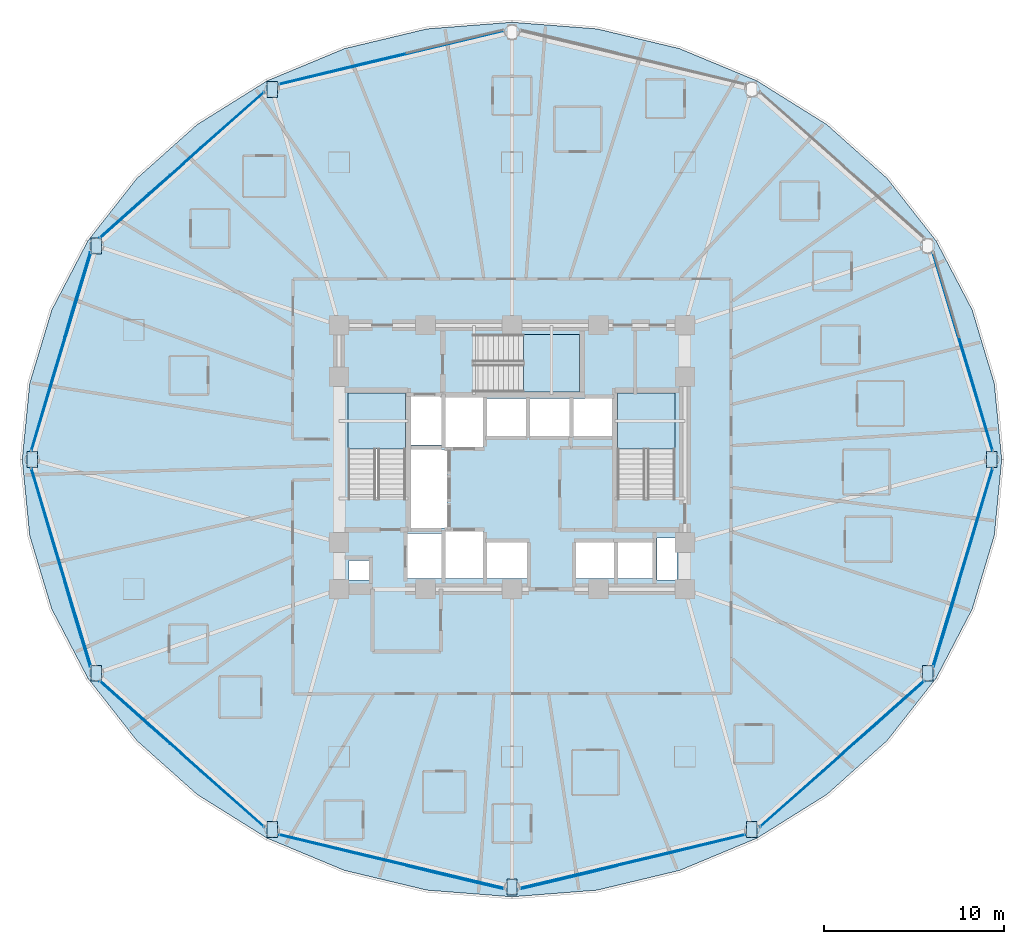
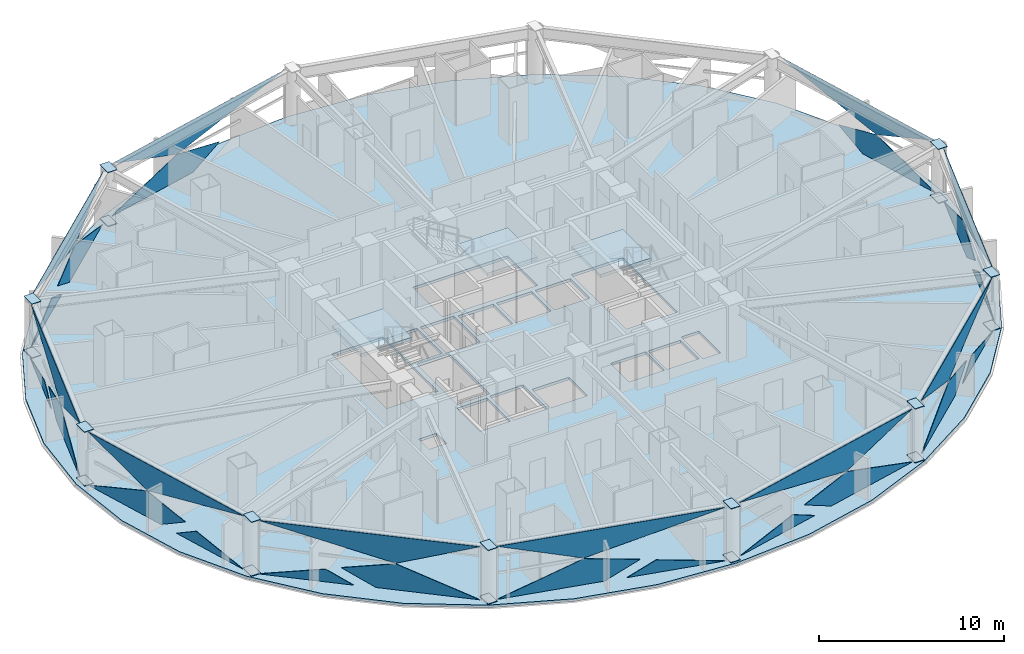
# One storey, part 22 of 32: 46 plates, 4 slabs, 13 elements without a shape of their own.
"""IFC4 building model written with IfcOpenShell, lengths in metres."""

from ifc_helpers import new_model, si_unit, direction, frame, origin, place, context, subcontext, project, spatial, polyline, outline, extrude, material, layer, layer_set, type_object, element, aggregate, save


model = new_model("IFC4")

# Units and contexts
model_context = context("Model", 3, precision=1e-05, world=origin(), true_north=direction((0.0, 1.0)))
body_context = subcontext(model_context, "Body", "Model", "MODEL_VIEW")
ifc_project = project(units=[si_unit("LENGTHUNIT", "METRE"), si_unit("AREAUNIT", "SQUARE_METRE"), si_unit("VOLUMEUNIT", "CUBIC_METRE"), si_unit("PLANEANGLEUNIT", "RADIAN"), si_unit("MASSUNIT", "GRAM", prefix="KILO")], contexts=[model_context])

# Site, building, storey
site_placement = place(None, origin())
site = spatial("IfcSite", under=ifc_project, at=site_placement, CompositionType="ELEMENT")
building_placement = place(site_placement, origin())
building = spatial("IfcBuilding", under=site, at=building_placement, Name="Vantalir Tower", CompositionType="ELEMENT")
storey_placement = place(building_placement, frame((0.0, 0.0, 45.75)))
storey = spatial("IfcBuildingStorey", under=building, at=storey_placement, Name="L10", CompositionType="ELEMENT", Elevation=45.75)

# Curtain wall, plates
ifc_material_1 = material(Name="Champagne-silver PVDF aluminium and double-silver Low-E glass", Category="aluminium")
ifc_layer_1 = layer(ifc_material_1, 0.18994140625)
ifc_layer_set_1 = layer_set([ifc_layer_1], Name="Champagne-silver PVDF aluminium and double-silver Low-E glass")
curtain_wall_type = type_object("IfcCurtainWallType", Name="CW-DIAMOND-Z1", PredefinedType="USERDEFINED", material=ifc_layer_set_1)
curtain_wall_1_placement = place(storey_placement, origin())
curtain_wall_1 = element("IfcCurtainWall", 1, at=curtain_wall_1_placement, inside=storey, type_object=curtain_wall_type, Name="L10 Quilted Pyramid-Diamond Curtain Wall S01", ObjectType="UNITISED CURTAIN WALL", PredefinedType="USERDEFINED")
ifc_material_2 = material(Name="Double-silver Low-E laminated glass IGU", Category="glass")
ifc_layer_2 = layer(ifc_material_2, 0.028076171875)
ifc_layer_set_2 = layer_set([ifc_layer_2], Name="Double-silver Low-E laminated glass IGU")
plate_type_1 = type_object("IfcPlateType", Name="CWP-IGU-28", PredefinedType="CURTAIN_PANEL", material=ifc_layer_set_2)
plate_1_placement = place(storey_placement, frame((58.189453125, 25.46435546875, 0.046630859375), z_axis=(-0.957587315243, -0.287813609808, 0.013778958427), x_axis=(-0.287840935832, 0.957678231798, -2.302e-09)))
plate_1 = element("IfcPlate", 2, at=plate_1_placement, type_object=plate_type_1, Name="CW-L10-S01 Pyramid Diamond Facet 1L", PredefinedType="CURTAIN_PANEL", context=body_context, shape_type="SweptSolid", body=[
    extrude(outline(polyline([(0.0, 0.0), (5.403745137110257, 3.469446951953614e-18), (7.217340910924827, -1.0401378239289027), (4.379424527082767, -1.726726423299107), (0.0, 0.0)])), origin(), (0.0, 0.0, -1.0), 0.028076171875),
])
plate_2_placement = place(storey_placement, frame((54.87451171875, 36.49365234375, 3.523681640625), z_axis=(0.957588443295, 0.287810388596, 0.013767842368), x_axis=(0.287837949678, -0.95767912908, -2.1198847e-05)))
plate_2 = element("IfcPlate", 3, at=plate_2_placement, type_object=plate_type_1, Name="CW-L10-S01 Pyramid Diamond Facet 2U", PredefinedType="CURTAIN_PANEL", context=body_context, shape_type="SweptSolid", body=[
    extrude(outline(polyline([(0.0, 0.0), (11.516693368469967, 6.396792817664476e-18), (7.137305370544517, 1.7270631721686152), (0.0, 0.0)])), origin(), (0.0, 0.0, -1.0), 0.028076171875),
])
aggregate(curtain_wall_1, [plate_1, plate_2])

curtain_wall_2_placement = place(storey_placement, origin())
curtain_wall_2 = element("IfcCurtainWall", 4, at=curtain_wall_2_placement, inside=storey, type_object=curtain_wall_type, Name="L10 Quilted Pyramid-Diamond Curtain Wall S04", ObjectType="UNITISED CURTAIN WALL", PredefinedType="USERDEFINED")
plate_3_placement = place(storey_placement, frame((24.4267578125, 47.2265625, 0.04638671875), z_axis=(0.232294519569, -0.972548754799, 0.013717715466), x_axis=(-0.972640272719, -0.232316378857, -8.158e-09)))
plate_3 = element("IfcPlate", 5, at=plate_3_placement, type_object=plate_type_1, Name="CW-L10-S04 Pyramid Diamond Facet 1L", PredefinedType="CURTAIN_PANEL", context=body_context, shape_type="SweptSolid", body=[
    extrude(outline(polyline([(0.0, 0.0), (6.034236524306683, -3.469446951953614e-18), (1.1585157316986223, -1.727457471748242), (-2.003188998828831, -1.0401368657822887), (0.0, 0.0)])), origin(), (0.0, 0.0, -1.0), 0.028076171875),
])
plate_4_placement = place(storey_placement, frame((18.5576171875, 45.82470703125, 3.5234375), z_axis=(-0.232303428702, 0.972546958767, 0.013694159595), x_axis=(0.972638222873, 0.232324960009, 1.9041469e-05)))
plate_4 = element("IfcPlate", 6, at=plate_4_placement, type_object=plate_type_1, Name="CW-L10-S04 Pyramid Diamond Facet 2U", PredefinedType="CURTAIN_PANEL", context=body_context, shape_type="SweptSolid", body=[
    extrude(outline(polyline([(0.0, 0.0), (12.821522773555245, 1.9244588561617704e-18), (4.875688096308643, 1.7275497537542863), (0.0, 0.0)])), origin(), (0.0, 0.0, -1.0), 0.028076171875),
])
aggregate(curtain_wall_2, [plate_3, plate_4])

curtain_wall_3_placement = place(storey_placement, origin())
curtain_wall_3 = element("IfcCurtainWall", 7, at=curtain_wall_3_placement, inside=storey, type_object=curtain_wall_type, Name="L10 Quilted Pyramid-Diamond Curtain Wall S05", ObjectType="UNITISED CURTAIN WALL", PredefinedType="USERDEFINED")
plate_5_placement = place(storey_placement, frame((17.723876953125, 45.389404296875, 0.046630859375), z_axis=(0.66532923019, -0.746424575499, 0.013688263069), x_axis=(-0.746494122732, -0.665392006934, -4.2832141e-05)))
plate_5 = element("IfcPlate", 8, at=plate_5_placement, type_object=plate_type_1, Name="CW-L10-S05 Pyramid Diamond Facet 1L", PredefinedType="CURTAIN_PANEL", context=body_context, shape_type="SweptSolid", body=[
    extrude(outline(polyline([(0.0, 0.0), (5.727041616755105, -9.974659986866641e-18), (7.638910723571556, -1.0407078975146749), (4.638077259731471, -1.7271659560260357), (0.0, 0.0)])), origin(), (0.0, 0.0, -1.0), 0.028076171875),
])
plate_6_placement = place(storey_placement, frame((12.5068359375, 40.78173828125, 0.0458984375), z_axis=(0.665302004108, -0.746444370429, 0.013930010201), x_axis=(-0.746516802938, -0.665366562829, 0.0)))
plate_6 = element("IfcPlate", 9, at=plate_6_placement, type_object=plate_type_1, Name="CW-L10-S05 Pyramid Diamond Facet 1L Infill Light", PredefinedType="CURTAIN_PANEL", context=body_context, shape_type="SweptSolid", body=[
    extrude(outline(polyline([(0.0, 0.0), (5.22576723192399, 0.0), (1.5469104609905, -0.8418785602029862), (0.0, 0.0)])), origin(), (0.0, 0.0, -1.0), 0.028076171875),
])
plate_7_placement = place(storey_placement, frame((8.626953125, 37.28076171875, 3.523681640625), z_axis=(-0.665331912442, 0.746422967964, 0.013645482091), x_axis=(0.746492287274, 0.665394067181, -2.0034145e-05)))
plate_7 = element("IfcPlate", 10, at=plate_7_placement, type_object=plate_type_1, Name="CW-L10-S05 Pyramid Diamond Facet 2U", PredefinedType="CURTAIN_PANEL", context=body_context, shape_type="SweptSolid", body=[
    extrude(outline(polyline([(0.0, 0.0), (12.18622614487745, -5.4752209710517974e-18), (7.548109584000032, 1.7273045211281237), (0.0, 0.0)])), origin(), (0.0, 0.0, -1.0), 0.028076171875),
])
aggregate(curtain_wall_3, [plate_5, plate_6, plate_7])

curtain_wall_4_placement = place(storey_placement, origin())
curtain_wall_4 = element("IfcCurtainWall", 11, at=curtain_wall_4_placement, inside=storey, type_object=curtain_wall_type, Name="L10 Quilted Pyramid-Diamond Curtain Wall S06", ObjectType="UNITISED CURTAIN WALL", PredefinedType="USERDEFINED")
plate_8_placement = place(storey_placement, frame((6.365966796875, 30.639404296875, 0.046630859375), z_axis=(0.957587315243, -0.287813609808, 0.013778958427), x_axis=(-0.287840935832, -0.957678231798, 2.302e-09)))
plate_8 = element("IfcPlate", 12, at=plate_8_placement, type_object=plate_type_1, Name="CW-L10-S06 Pyramid Diamond Facet 1L", PredefinedType="CURTAIN_PANEL", context=body_context, shape_type="SweptSolid", body=[
    extrude(outline(polyline([(0.0, 0.0), (5.403745137110257, -3.469446951953614e-18), (1.0243206100274902, -1.726726423299107), (-1.8135957738145696, -1.0401378239289027), (0.0, 0.0)])), origin(), (0.0, 0.0, -1.0), 0.028076171875),
])
plate_9_placement = place(storey_placement, frame((8.0947265625, 36.502685546875, 0.0458984375), z_axis=(0.95759038905, -0.287801570428, 0.013816760045), x_axis=(-0.287829700777, -0.957681607266, 4.9548924e-05)))
plate_9 = element("IfcPlate", 13, at=plate_9_placement, type_object=plate_type_1, Name="CW-L10-S06 Pyramid Diamond Facet 1L Infill Light", PredefinedType="CURTAIN_PANEL", context=body_context, shape_type="SweptSolid", body=[
    extrude(outline(polyline([(0.0, 0.0), (4.927263888329867, -2.4665599424045226e-18), (3.465456767855539, -0.8385313810885956), (0.0, 0.0)])), origin(), (0.0, 0.0, -1.0), 0.028076171875),
])
plate_10_placement = place(storey_placement, frame((4.810546875, 25.46435546875, 3.5234375), z_axis=(-0.957588443295, 0.287810388596, 0.013767842368), x_axis=(0.287837949678, 0.95767912908, 2.1198847e-05)))
plate_10 = element("IfcPlate", 14, at=plate_10_placement, type_object=plate_type_1, Name="CW-L10-S06 Pyramid Diamond Facet 2U", PredefinedType="CURTAIN_PANEL", context=body_context, shape_type="SweptSolid", body=[
    extrude(outline(polyline([(0.0, 0.0), (11.516693368469967, -6.396792817664476e-18), (4.379387997925452, 1.7270631721686152), (0.0, 0.0)])), origin(), (0.0, 0.0, -1.0), 0.028076171875),
])
aggregate(curtain_wall_4, [plate_8, plate_9, plate_10])

curtain_wall_5_placement = place(storey_placement, origin())
curtain_wall_5 = element("IfcCurtainWall", 15, at=curtain_wall_5_placement, inside=storey, type_object=curtain_wall_type, Name="L10 Quilted Pyramid-Diamond Curtain Wall S07", ObjectType="UNITISED CURTAIN WALL", PredefinedType="USERDEFINED")
plate_11_placement = place(storey_placement, frame((4.810546875, 24.53564453125, 0.046630859375), z_axis=(0.957587315243, 0.287813609808, 0.013778958427), x_axis=(0.287840935832, -0.957678231798, -2.302e-09)))
plate_11 = element("IfcPlate", 16, at=plate_11_placement, type_object=plate_type_1, Name="CW-L10-S07 Pyramid Diamond Facet 1L", PredefinedType="CURTAIN_PANEL", context=body_context, shape_type="SweptSolid", body=[
    extrude(outline(polyline([(0.0, 0.0), (5.403745137110257, 3.469446951953614e-18), (7.217340910924827, -1.0401378239289027), (4.379424527082767, -1.726726423299107), (0.0, 0.0)])), origin(), (0.0, 0.0, -1.0), 0.028076171875),
])
plate_12_placement = place(storey_placement, frame((6.676513671875, 18.216064453125, 0.046142578125), z_axis=(0.95759038905, 0.287801570428, 0.013816760045), x_axis=(0.287829700777, -0.957681607266, -4.9548924e-05)))
plate_12 = element("IfcPlate", 17, at=plate_12_placement, type_object=plate_type_1, Name="CW-L10-S07 Pyramid Diamond Facet 1L Infill Light", PredefinedType="CURTAIN_PANEL", context=body_context, shape_type="SweptSolid", body=[
    extrude(outline(polyline([(0.0, 0.0), (4.927263888329867, 2.4665599424045226e-18), (1.4618071204743284, -0.8385313810885956), (0.0, 0.0)])), origin(), (0.0, 0.0, -1.0), 0.028076171875),
])
plate_13_placement = place(storey_placement, frame((8.12548828125, 13.50634765625, 3.523681640625), z_axis=(-0.957588443295, -0.287810388596, 0.013767842368), x_axis=(-0.287837949678, 0.95767912908, -2.1198847e-05)))
plate_13 = element("IfcPlate", 18, at=plate_13_placement, type_object=plate_type_1, Name="CW-L10-S07 Pyramid Diamond Facet 2U", PredefinedType="CURTAIN_PANEL", context=body_context, shape_type="SweptSolid", body=[
    extrude(outline(polyline([(0.0, 0.0), (11.516693368469967, 6.396792817664476e-18), (7.137305370544517, 1.7270631721686152), (0.0, 0.0)])), origin(), (0.0, 0.0, -1.0), 0.028076171875),
])
aggregate(curtain_wall_5, [plate_11, plate_12, plate_13])

curtain_wall_6_placement = place(storey_placement, origin())
curtain_wall_6 = element("IfcCurtainWall", 19, at=curtain_wall_6_placement, inside=storey, type_object=curtain_wall_type, Name="L10 Quilted Pyramid-Diamond Curtain Wall S08", ObjectType="UNITISED CURTAIN WALL", PredefinedType="USERDEFINED")
plate_14_placement = place(storey_placement, frame((13.4482421875, 8.42138671875, 0.04638671875), z_axis=(0.66536670794, 0.746390029798, 0.013750177533), x_axis=(0.746460205422, -0.665430056339, 4.2915024e-05)))
plate_14 = element("IfcPlate", 20, at=plate_14_placement, type_object=plate_type_1, Name="CW-L10-S08 Pyramid Diamond Facet 1L", PredefinedType="CURTAIN_PANEL", context=body_context, shape_type="SweptSolid", body=[
    extrude(outline(polyline([(0.0, 0.0), (5.726677131115245, 3.9302328752599536e-18), (1.088783462560477, -1.7271673408944206), (-1.9118682876419688, -1.0407093991941267), (0.0, 0.0)])), origin(), (0.0, 0.0, -1.0), 0.028076171875),
])
plate_15_placement = place(storey_placement, frame((8.605712890625, 12.6953125, 0.0458984375), z_axis=(0.665349140096, 0.746403820482, 0.013851301154), x_axis=(0.746475432762, -0.66541297574, 0.0)))
plate_15 = element("IfcPlate", 21, at=plate_15_placement, type_object=plate_type_1, Name="CW-L10-S08 Pyramid Diamond Facet 1L Infill Light", PredefinedType="CURTAIN_PANEL", context=body_context, shape_type="SweptSolid", body=[
    extrude(outline(polyline([(0.0, 0.0), (5.225402731866094, 6.938893903907228e-18), (3.678675247986238, -0.8418776395829664), (0.0, 0.0)])), origin(), (0.0, 0.0, -1.0), 0.028076171875),
])
plate_16_placement = place(storey_placement, frame((17.722900390625, 4.610595703125, 3.5234375), z_axis=(-0.665371267275, -0.746386987008, 0.013694608798), x_axis=(-0.746456803677, 0.665433873381, 2.0035344e-05)))
plate_16 = element("IfcPlate", 22, at=plate_16_placement, type_object=plate_type_1, Name="CW-L10-S08 Pyramid Diamond Facet 2U", PredefinedType="CURTAIN_PANEL", context=body_context, shape_type="SweptSolid", body=[
    extrude(outline(polyline([(0.0, 0.0), (12.185497165828616, 4.174178364069192e-18), (4.637933054903152, 1.727305683223863), (0.0, 0.0)])), origin(), (0.0, 0.0, -1.0), 0.028076171875),
])
aggregate(curtain_wall_6, [plate_14, plate_15, plate_16])

curtain_wall_7_placement = place(storey_placement, origin())
curtain_wall_7 = element("IfcCurtainWall", 23, at=curtain_wall_7_placement, inside=storey, type_object=curtain_wall_type, Name="L10 Quilted Pyramid-Diamond Curtain Wall S09", ObjectType="UNITISED CURTAIN WALL", PredefinedType="USERDEFINED")
plate_17_placement = place(storey_placement, frame((18.556640625, 4.17529296875, 0.04638671875), z_axis=(0.232271719919, 0.972553958301, 0.013734857772), x_axis=(0.972645705417, -0.232293632573, 7.1201e-08)))
plate_17 = element("IfcPlate", 24, at=plate_17_placement, type_object=plate_type_1, Name="CW-L10-S09 Pyramid Diamond Facet 1L", PredefinedType="CURTAIN_PANEL", context=body_context, shape_type="SweptSolid", body=[
    extrude(outline(polyline([(0.0, 0.0), (6.034711447233511, 0.0), (8.038137639816432, -1.0401366037735902), (4.875957808240545, -1.7274579513557387), (0.0, 0.0)])), origin(), (0.0, 0.0, -1.0), 0.028076171875),
])
plate_18_placement = place(storey_placement, frame((25.662353515625, 2.4453125, 0.0458984375), z_axis=(0.232271820533, 0.972555167663, 0.013647242898), x_axis=(0.972645748173, -0.232293453548, 0.0)))
plate_18 = element("IfcPlate", 25, at=plate_18_placement, type_object=plate_type_1, Name="CW-L10-S09 Pyramid Diamond Facet 1L Infill Light", PredefinedType="CURTAIN_PANEL", context=body_context, shape_type="SweptSolid", body=[
    extrude(outline(polyline([(0.0, 0.0), (5.509346633336116, 3.469446951953614e-18), (1.6260116027675404, -0.8440727473944789), (0.0, 0.0)])), origin(), (0.0, 0.0, -1.0), 0.028076171875),
])
plate_19_placement = place(storey_placement, frame((31.0283203125, 1.196533203125, 3.523681640625), z_axis=(-0.232286166338, -0.972550840911, 0.013711264369), x_axis=(-0.972642333461, 0.232307750187, -1.9040058e-05)))
plate_19 = element("IfcPlate", 26, at=plate_19_placement, type_object=plate_type_1, Name="CW-L10-S09 Pyramid Diamond Facet 2U", PredefinedType="CURTAIN_PANEL", context=body_context, shape_type="SweptSolid", body=[
    extrude(outline(polyline([(0.0, 0.0), (12.822472617576965, 4.0657581468206416e-19), (7.9465474766790285, 1.7275501563723787), (0.0, 0.0)])), origin(), (0.0, 0.0, -1.0), 0.028076171875),
])
aggregate(curtain_wall_7, [plate_17, plate_18, plate_19])

curtain_wall_8_placement = place(storey_placement, origin())
curtain_wall_8 = element("IfcCurtainWall", 27, at=curtain_wall_8_placement, inside=storey, type_object=curtain_wall_type, Name="L10 Quilted Pyramid-Diamond Curtain Wall S10", ObjectType="UNITISED CURTAIN WALL", PredefinedType="USERDEFINED")
plate_20_placement = place(storey_placement, frame((38.57373046875, 2.7734375, 0.04638671875), z_axis=(-0.232271719919, 0.972553958301, 0.013734857772), x_axis=(0.972645705417, 0.232293632573, -7.1201e-08)))
plate_20 = element("IfcPlate", 28, at=plate_20_placement, type_object=plate_type_1, Name="CW-L10-S10 Pyramid Diamond Facet 1L", PredefinedType="CURTAIN_PANEL", context=body_context, shape_type="SweptSolid", body=[
    extrude(outline(polyline([(0.0, 0.0), (6.034711447233511, 0.0), (1.158753638992965, -1.7274579513557387), (-2.003426192582921, -1.0401366037735902), (0.0, 0.0)])), origin(), (0.0, 0.0, -1.0), 0.028076171875),
])
plate_21_placement = place(storey_placement, frame((31.97900390625, 1.16552734375, 0.0458984375), z_axis=(-0.232271820533, 0.972555167663, 0.013647242898), x_axis=(0.972645748173, 0.232293453548, 0.0)))
plate_21 = element("IfcPlate", 29, at=plate_21_placement, type_object=plate_type_1, Name="CW-L10-S10 Pyramid Diamond Facet 1L Infill Light", PredefinedType="CURTAIN_PANEL", context=body_context, shape_type="SweptSolid", body=[
    extrude(outline(polyline([(0.0, 0.0), (5.509346633336116, -3.469446951953614e-18), (3.883335030568575, -0.8440727473944789), (0.0, 0.0)])), origin(), (0.0, 0.0, -1.0), 0.028076171875),
])
plate_22_placement = place(storey_placement, frame((44.443359375, 4.17529296875, 3.5234375), z_axis=(0.232286166338, -0.972550840911, 0.013711264369), x_axis=(-0.972642333461, -0.232307750187, 1.9040058e-05)))
plate_22 = element("IfcPlate", 30, at=plate_22_placement, type_object=plate_type_1, Name="CW-L10-S10 Pyramid Diamond Facet 2U", PredefinedType="CURTAIN_PANEL", context=body_context, shape_type="SweptSolid", body=[
    extrude(outline(polyline([(0.0, 0.0), (12.822472617576965, -4.0657581468206416e-19), (4.8759251408979365, 1.7275501563723785), (0.0, 0.0)])), origin(), (0.0, 0.0, -1.0), 0.028076171875),
])
aggregate(curtain_wall_8, [plate_20, plate_21, plate_22])

curtain_wall_9_placement = place(storey_placement, origin())
curtain_wall_9 = element("IfcCurtainWall", 31, at=curtain_wall_9_placement, inside=storey, type_object=curtain_wall_type, Name="L10 Quilted Pyramid-Diamond Curtain Wall S11", ObjectType="UNITISED CURTAIN WALL", PredefinedType="USERDEFINED")
plate_23_placement = place(storey_placement, frame((45.277099609375, 4.610595703125, 0.046630859375), z_axis=(-0.66536670794, 0.746390029798, 0.013750177533), x_axis=(0.746460205422, 0.665430056339, -4.2915024e-05)))
plate_23 = element("IfcPlate", 32, at=plate_23_placement, type_object=plate_type_1, Name="CW-L10-S11 Pyramid Diamond Facet 1L", PredefinedType="CURTAIN_PANEL", context=body_context, shape_type="SweptSolid", body=[
    extrude(outline(polyline([(0.0, 0.0), (5.726677131115245, -3.9302328752599536e-18), (7.638545418757214, -1.040709399194127), (4.637893668554768, -1.7271673408944204), (0.0, 0.0)])), origin(), (0.0, 0.0, -1.0), 0.028076171875),
])
plate_24_placement = place(storey_placement, frame((50.49365234375, 9.21826171875, 0.0458984375), z_axis=(-0.665349140096, 0.746403820482, 0.013851301154), x_axis=(0.746475432762, 0.66541297574, 0.0)))
plate_24 = element("IfcPlate", 33, at=plate_24_placement, type_object=plate_type_1, Name="CW-L10-S11 Pyramid Diamond Facet 1L Infill Light", PredefinedType="CURTAIN_PANEL", context=body_context, shape_type="SweptSolid", body=[
    extrude(outline(polyline([(0.0, 0.0), (5.225402731866094, -6.938893903907228e-18), (1.5467274838798564, -0.8418776395829664), (0.0, 0.0)])), origin(), (0.0, 0.0, -1.0), 0.028076171875),
])
plate_25_placement = place(storey_placement, frame((54.373046875, 12.71923828125, 3.523681640625), z_axis=(0.665371267275, -0.746386987008, 0.013694608798), x_axis=(-0.746456803677, -0.665433873381, -2.0035344e-05)))
plate_25 = element("IfcPlate", 34, at=plate_25_placement, type_object=plate_type_1, Name="CW-L10-S11 Pyramid Diamond Facet 2U", PredefinedType="CURTAIN_PANEL", context=body_context, shape_type="SweptSolid", body=[
    extrude(outline(polyline([(0.0, 0.0), (12.185497165828616, -4.174178364069192e-18), (7.547564110925465, 1.7273056832238627), (0.0, 0.0)])), origin(), (0.0, 0.0, -1.0), 0.028076171875),
])
aggregate(curtain_wall_9, [plate_23, plate_24, plate_25])

curtain_wall_10_placement = place(storey_placement, origin())
curtain_wall_10 = element("IfcCurtainWall", 35, at=curtain_wall_10_placement, inside=storey, type_object=curtain_wall_type, Name="L10 Quilted Pyramid-Diamond Curtain Wall S12", ObjectType="UNITISED CURTAIN WALL", PredefinedType="USERDEFINED")
plate_26_placement = place(storey_placement, frame((56.634033203125, 19.360595703125, 0.046630859375), z_axis=(-0.957587315243, 0.287813609808, 0.013778958427), x_axis=(0.287840935832, 0.957678231798, 2.302e-09)))
plate_26 = element("IfcPlate", 36, at=plate_26_placement, type_object=plate_type_1, Name="CW-L10-S12 Pyramid Diamond Facet 1L", PredefinedType="CURTAIN_PANEL", context=body_context, shape_type="SweptSolid", body=[
    extrude(outline(polyline([(0.0, 0.0), (5.403745137110257, -3.469446951953614e-18), (1.0243206100274902, -1.726726423299107), (-1.8135957738145696, -1.0401378239289027), (0.0, 0.0)])), origin(), (0.0, 0.0, -1.0), 0.028076171875),
])
plate_27_placement = place(storey_placement, frame((54.9052734375, 13.497314453125, 0.0458984375), z_axis=(-0.95759038905, 0.287801570428, 0.013816760045), x_axis=(0.287829700777, 0.957681607266, 4.9548924e-05)))
plate_27 = element("IfcPlate", 37, at=plate_27_placement, type_object=plate_type_1, Name="CW-L10-S12 Pyramid Diamond Facet 1L Infill Light", PredefinedType="CURTAIN_PANEL", context=body_context, shape_type="SweptSolid", body=[
    extrude(outline(polyline([(0.0, 0.0), (4.927263888329867, -2.4665599424045226e-18), (3.465456767855539, -0.8385313810885956), (0.0, 0.0)])), origin(), (0.0, 0.0, -1.0), 0.028076171875),
])
plate_28_placement = place(storey_placement, frame((58.189453125, 24.53564453125, 3.5234375), z_axis=(0.957588443295, -0.287810388596, 0.013767842368), x_axis=(-0.287837949678, -0.95767912908, 2.1198847e-05)))
plate_28 = element("IfcPlate", 38, at=plate_28_placement, type_object=plate_type_1, Name="CW-L10-S12 Pyramid Diamond Facet 2U", PredefinedType="CURTAIN_PANEL", context=body_context, shape_type="SweptSolid", body=[
    extrude(outline(polyline([(0.0, 0.0), (11.516693368469967, -6.396792817664476e-18), (4.379387997925452, 1.7270631721686152), (0.0, 0.0)])), origin(), (0.0, 0.0, -1.0), 0.028076171875),
])
aggregate(curtain_wall_10, [plate_26, plate_27, plate_28])

# Plates
ifc_material_3 = material(Name="Steel S460", Category="steel")
ifc_layer_3 = layer(ifc_material_3, 0.035888671875)
ifc_layer_set_3 = layer_set([ifc_layer_3], Name="Steel S460")
plate_type_2 = type_object("IfcPlateType", Name="PLT-KN-Z2", PredefinedType="USERDEFINED", material=ifc_layer_set_3)
for number, where, z_axis, x_axis, name in (
    (39, (57.84912109375, 25.43994140625, 3.597900390625), (0.0, 0.0, 1.0), (0.0, -1.0, 0.0), "L10 Ring Column Top Cap RC01"),
    (40, (57.84912109375, 25.43994140625, 0.052978515625), (0.0, 0.0, 1.0), (0.0, -1.0, 0.0), "L10 Ring Column Base Cap RC01"),
):
    element("IfcPlate", number, at=place(storey_placement, frame(where, z_axis=z_axis, x_axis=x_axis)), inside=storey, type_object=plate_type_2, Name=name, ObjectType="FLANGE_PLATE", PredefinedType="USERDEFINED", context=body_context, shape_type="SweptSolid", body=[
        extrude(outline(polyline([(0.0, 0.0), (0.8798828125, 0.0), (0.8798828125, 0.579833984375), (0.0, 0.579833984375), (0.0, 0.0)])), origin(), (0.0, 0.0, -1.0), 0.035888671875),
    ])
for number, where, z_axis, x_axis, name in (
    (41, (17.89111328125, 45.987060546875, 3.597900390625), (0.0, 0.0, 1.0), (0.0, -1.0, 0.0), "L10 Ring Column Top Cap RC05"),
    (42, (17.89111328125, 45.987060546875, 0.052978515625), (0.0, 0.0, 1.0), (0.0, -1.0, 0.0), "L10 Ring Column Base Cap RC05"),
):
    element("IfcPlate", number, at=place(storey_placement, frame(where, z_axis=z_axis, x_axis=x_axis)), inside=storey, type_object=plate_type_2, Name=name, ObjectType="FLANGE_PLATE", PredefinedType="USERDEFINED", context=body_context, shape_type="SweptSolid", body=[
        extrude(outline(polyline([(0.0, 0.0), (0.880126953125, 0.0), (0.880126953125, 0.579833984375), (0.0, 0.579833984375), (0.0, 0.0)])), origin(), (0.0, 0.0, -1.0), 0.035888671875),
    ])
for number, where, z_axis, x_axis, name in (
    (43, (8.139892578125, 37.302978515625, 3.597900390625), (0.0, 0.0, 1.0), (0.0, -1.0, 0.0), "L10 Ring Column Top Cap RC06"),
    (44, (8.139892578125, 37.302978515625, 0.052978515625), (0.0, 0.0, 1.0), (0.0, -1.0, 0.0), "L10 Ring Column Base Cap RC06"),
):
    element("IfcPlate", number, at=place(storey_placement, frame(where, z_axis=z_axis, x_axis=x_axis)), inside=storey, type_object=plate_type_2, Name=name, ObjectType="FLANGE_PLATE", PredefinedType="USERDEFINED", context=body_context, shape_type="SweptSolid", body=[
        extrude(outline(polyline([(0.0, 0.0), (0.8798828125, 0.0), (0.8798828125, 0.580078125), (0.0, 0.580078125), (0.0, 0.0)])), origin(), (0.0, 0.0, -1.0), 0.035888671875),
    ])
for number, where, z_axis, x_axis, name in (
    (45, (4.571044921875, 25.43994140625, 3.597900390625), (0.0, 0.0, 1.0), (0.0, -1.0, 0.0), "L10 Ring Column Top Cap RC07"),
    (46, (4.571044921875, 25.43994140625, 0.052978515625), (0.0, 0.0, 1.0), (0.0, -1.0, 0.0), "L10 Ring Column Base Cap RC07"),
):
    element("IfcPlate", number, at=place(storey_placement, frame(where, z_axis=z_axis, x_axis=x_axis)), inside=storey, type_object=plate_type_2, Name=name, ObjectType="FLANGE_PLATE", PredefinedType="USERDEFINED", context=body_context, shape_type="SweptSolid", body=[
        extrude(outline(polyline([(0.0, 0.0), (0.8798828125, 0.0), (0.8798828125, 0.579833984375), (0.0, 0.579833984375), (0.0, 0.0)])), origin(), (0.0, 0.0, -1.0), 0.035888671875),
    ])
for number, where, z_axis, x_axis, name in (
    (47, (8.139892578125, 13.576904296875, 3.597900390625), (0.0, 0.0, 1.0), (0.0, -1.0, 0.0), "L10 Ring Column Top Cap RC08"),
    (48, (8.139892578125, 13.576904296875, 0.052978515625), (0.0, 0.0, 1.0), (0.0, -1.0, 0.0), "L10 Ring Column Base Cap RC08"),
):
    element("IfcPlate", number, at=place(storey_placement, frame(where, z_axis=z_axis, x_axis=x_axis)), inside=storey, type_object=plate_type_2, Name=name, ObjectType="FLANGE_PLATE", PredefinedType="USERDEFINED", context=body_context, shape_type="SweptSolid", body=[
        extrude(outline(polyline([(0.0, 0.0), (0.8798828125, 0.0), (0.8798828125, 0.580078125), (0.0, 0.580078125), (0.0, 0.0)])), origin(), (0.0, 0.0, -1.0), 0.035888671875),
    ])
for number, where, z_axis, x_axis, name in (
    (49, (17.889892578125, 4.89306640625, 3.597900390625), (0.0, 0.0, 1.0), (0.0, -1.0, 0.0), "L10 Ring Column Top Cap RC09"),
    (50, (17.889892578125, 4.89306640625, 0.052978515625), (0.0, 0.0, 1.0), (0.0, -1.0, 0.0), "L10 Ring Column Base Cap RC09"),
    (51, (31.2099609375, 1.714111328125, 3.597900390625), (0.0, 0.0, 1.0), (0.0, -1.0, 0.0), "L10 Ring Column Top Cap RC10"),
    (52, (31.2099609375, 1.714111328125, 0.052978515625), (0.0, 0.0, 1.0), (0.0, -1.0, 0.0), "L10 Ring Column Base Cap RC10"),
    (53, (44.530029296875, 4.89306640625, 3.597900390625), (0.0, 0.0, 1.0), (0.0, -1.0, 0.0), "L10 Ring Column Top Cap RC11"),
    (54, (44.530029296875, 4.89306640625, 0.052978515625), (0.0, 0.0, 1.0), (0.0, -1.0, 0.0), "L10 Ring Column Base Cap RC11"),
):
    element("IfcPlate", number, at=place(storey_placement, frame(where, z_axis=z_axis, x_axis=x_axis)), inside=storey, type_object=plate_type_2, Name=name, ObjectType="FLANGE_PLATE", PredefinedType="USERDEFINED", context=body_context, shape_type="SweptSolid", body=[
        extrude(outline(polyline([(0.0, 0.0), (0.880126953125, 0.0), (0.880126953125, 0.580078125), (0.0, 0.580078125), (0.0, 0.0)])), origin(), (0.0, 0.0, -1.0), 0.035888671875),
    ])
for number, where, z_axis, x_axis, name in (
    (55, (54.280029296875, 13.576904296875, 3.597900390625), (0.0, 0.0, 1.0), (0.0, -1.0, 0.0), "L10 Ring Column Top Cap RC12"),
    (56, (54.280029296875, 13.576904296875, 0.052978515625), (0.0, 0.0, 1.0), (0.0, -1.0, 0.0), "L10 Ring Column Base Cap RC12"),
):
    element("IfcPlate", number, at=place(storey_placement, frame(where, z_axis=z_axis, x_axis=x_axis)), inside=storey, type_object=plate_type_2, Name=name, ObjectType="FLANGE_PLATE", PredefinedType="USERDEFINED", context=body_context, shape_type="SweptSolid", body=[
        extrude(outline(polyline([(0.0, 0.0), (0.8798828125, 0.0), (0.8798828125, 0.580078125), (0.0, 0.580078125), (0.0, 0.0)])), origin(), (0.0, 0.0, -1.0), 0.035888671875),
    ])

# Stair, slab
ifc_material_4 = material(Name="Concrete C40/50", Category="concrete")
stair_type = type_object("IfcStairType", Name="STR-CORE-1450", PredefinedType="HALF_TURN_STAIR", material=ifc_material_4)
stair_1_placement = place(storey_placement, origin())
stair_1 = element("IfcStair", 57, at=stair_1_placement, inside=storey, type_object=stair_type, Name="L10 Core Exit Stair 1", PredefinedType="HALF_TURN_STAIR")
ifc_layer_4 = layer(ifc_material_4, 0.199951171875)
ifc_layer_set_4 = layer_set([ifc_layer_4], Name="Concrete C40/50")
slab_type_1 = type_object("IfcSlabType", Name="SL-LAND-200", PredefinedType="LANDING", material=ifc_layer_set_4)
slab_1_placement = place(storey_placement, frame((0.0, 0.0, 1.675048828125)))
slab_1 = element("IfcSlab", 58, at=slab_1_placement, type_object=slab_type_1, Name="ST1 landing 1", PredefinedType="LANDING", context=body_context, shape_type="SweptSolid", body=[
    extrude(outline(polyline([(25.60009765625, 25.590087890625), (25.60009765625, 28.699951171875), (22.39990234375, 28.699951171875), (22.39990234375, 25.590087890625), (25.60009765625, 25.590087890625)])), origin(), (0.0, 0.0, 1.0), 0.199951171875),
])
aggregate(stair_1, [slab_1])

stair_2_placement = place(storey_placement, origin())
stair_2 = element("IfcStair", 59, at=stair_2_placement, inside=storey, type_object=stair_type, Name="L10 Core Exit Stair 2", PredefinedType="HALF_TURN_STAIR")
slab_2_placement = place(storey_placement, frame((0.0, 0.0, 1.675048828125)))
slab_2 = element("IfcSlab", 60, at=slab_2_placement, type_object=slab_type_1, Name="ST2 landing 1", PredefinedType="LANDING", context=body_context, shape_type="SweptSolid", body=[
    extrude(outline(polyline([(40.550048828125, 25.590087890625), (40.550048828125, 28.699951171875), (37.35009765625, 28.699951171875), (37.35009765625, 25.590087890625), (40.550048828125, 25.590087890625)])), origin(), (0.0, 0.0, 1.0), 0.199951171875),
])
aggregate(stair_2, [slab_2])

stair_3_placement = place(storey_placement, origin())
stair_3 = element("IfcStair", 61, at=stair_3_placement, inside=storey, type_object=stair_type, Name="L10 Core Exit Stair 3", PredefinedType="HALF_TURN_STAIR")
slab_3_placement = place(storey_placement, frame((0.0, 0.0, 1.675048828125)))
slab_3 = element("IfcSlab", 62, at=slab_3_placement, type_object=slab_type_1, Name="ST3 landing 1", PredefinedType="LANDING", context=body_context, shape_type="SweptSolid", body=[
    extrude(outline(polyline([(32.139892578125, 28.75), (35.25, 28.75), (35.25, 31.949951171875), (32.139892578125, 31.949951171875), (32.139892578125, 28.75)])), origin(), (0.0, 0.0, 1.0), 0.199951171875),
])
aggregate(stair_3, [slab_3])

# Slab
ifc_layer_5 = layer(ifc_material_4, 0.179931640625)
ifc_layer_set_5 = layer_set([ifc_layer_5], Name="Concrete C40/50")
slab_type_2 = type_object("IfcSlabType", Name="SL-TWR-180", PredefinedType="FLOOR", material=ifc_layer_set_5)
slab_4_placement = place(storey_placement, frame((0.0, 0.0, -0.179931640625)))
element("IfcSlab", 63, at=slab_4_placement, inside=storey, type_object=slab_type_2, Name="L10 Primary Structural Slab", PredefinedType="FLOOR", context=body_context, shape_type="SweptSolid", body=[
    extrude(outline(polyline([(7.9541015625, 12.862060546875), (10.672119140625, 9.39599609375), (14.02294921875, 6.404052734375), (17.905029296875, 3.97607421875), (22.200927734375, 2.18798828125), (26.779052734375, 1.093017578125), (31.5, 0.72412109375), (36.220947265625, 1.093017578125), (40.799072265625, 2.18798828125), (45.094970703125, 3.97607421875), (48.97705078125, 6.404052734375), (52.327880859375, 9.39599609375), (55.0458984375, 12.862060546875), (57.049072265625, 16.697021484375), (58.27587890625, 20.784912109375), (58.68896484375, 25.0), (58.27587890625, 29.215087890625), (57.049072265625, 33.302978515625), (55.0458984375, 37.137939453125), (52.327880859375, 40.60400390625), (48.97705078125, 43.595947265625), (45.094970703125, 46.02392578125), (40.799072265625, 47.81201171875), (36.220947265625, 48.906982421875), (31.5, 49.27587890625), (26.779052734375, 48.906982421875), (22.200927734375, 47.81201171875), (17.906005859375, 46.02392578125), (14.02294921875, 43.595947265625), (10.672119140625, 40.60400390625), (7.9541015625, 37.137939453125), (5.950927734375, 33.302978515625), (4.72412109375, 29.215087890625), (4.31103515625, 25.0), (4.72412109375, 20.784912109375), (5.950927734375, 16.697021484375), (7.9541015625, 12.862060546875)]), holes=[polyline([(22.39990234375, 22.7900390625), (22.39990234375, 28.699951171875), (25.60009765625, 28.699951171875), (25.60009765625, 22.7900390625), (22.39990234375, 22.7900390625)]), polyline([(37.35009765625, 28.699951171875), (40.550048828125, 28.699951171875), (40.550048828125, 22.7900390625), (37.35009765625, 22.7900390625), (37.35009765625, 28.699951171875)]), polyline([(35.25, 28.75), (29.340087890625, 28.75), (29.340087890625, 31.949951171875), (35.25, 31.949951171875), (35.25, 28.75)]), polyline([(27.60009765625, 18.39990234375), (25.699951171875, 18.39990234375), (25.699951171875, 20.89990234375), (27.60009765625, 20.89990234375), (27.60009765625, 18.39990234375)]), polyline([(25.699951171875, 25.800048828125), (25.699951171875, 28.5), (27.60009765625, 28.5), (27.60009765625, 25.800048828125), (25.699951171875, 25.800048828125)]), polyline([(27.800048828125, 21.0), (29.89990234375, 21.0), (29.89990234375, 18.39990234375), (27.800048828125, 18.39990234375), (27.800048828125, 21.0)]), polyline([(29.89990234375, 28.5), (29.89990234375, 25.699951171875), (27.800048828125, 25.699951171875), (27.800048828125, 28.5), (29.89990234375, 28.5)]), polyline([(32.39990234375, 18.39990234375), (30.10009765625, 18.39990234375), (30.10009765625, 20.39990234375), (32.39990234375, 20.39990234375), (32.39990234375, 18.39990234375)]), polyline([(37.35009765625, 18.39990234375), (37.35009765625, 20.39990234375), (39.35009765625, 20.39990234375), (39.35009765625, 18.39990234375), (37.35009765625, 18.39990234375)]), polyline([(35.0, 20.39990234375), (37.199951171875, 20.39990234375), (37.199951171875, 18.39990234375), (35.0, 18.39990234375), (35.0, 20.39990234375)]), polyline([(32.300048828125, 28.39990234375), (32.300048828125, 26.300048828125), (30.10009765625, 26.300048828125), (30.10009765625, 28.39990234375), (32.300048828125, 28.39990234375)]), polyline([(34.699951171875, 26.300048828125), (32.5, 26.300048828125), (32.5, 28.39990234375), (34.699951171875, 28.39990234375), (34.699951171875, 26.300048828125)]), polyline([(34.89990234375, 26.300048828125), (34.89990234375, 28.39990234375), (37.10009765625, 28.39990234375), (37.10009765625, 26.300048828125), (34.89990234375, 26.300048828125)]), polyline([(25.889892578125, 25.56005859375), (27.89990234375, 25.56005859375), (27.89990234375, 21.199951171875), (25.889892578125, 21.199951171875), (25.889892578125, 25.56005859375)]), polyline([(23.550048828125, 19.39990234375), (23.550048828125, 18.300048828125), (22.449951171875, 18.300048828125), (22.449951171875, 19.39990234375), (23.550048828125, 19.39990234375)]), polyline([(40.64990234375, 18.300048828125), (39.550048828125, 18.300048828125), (39.550048828125, 20.64990234375), (40.64990234375, 20.64990234375), (40.64990234375, 18.300048828125)])]), origin(), (0.0, 0.0, 1.0), 0.179931640625),
])

save(model, "model.ifc")
